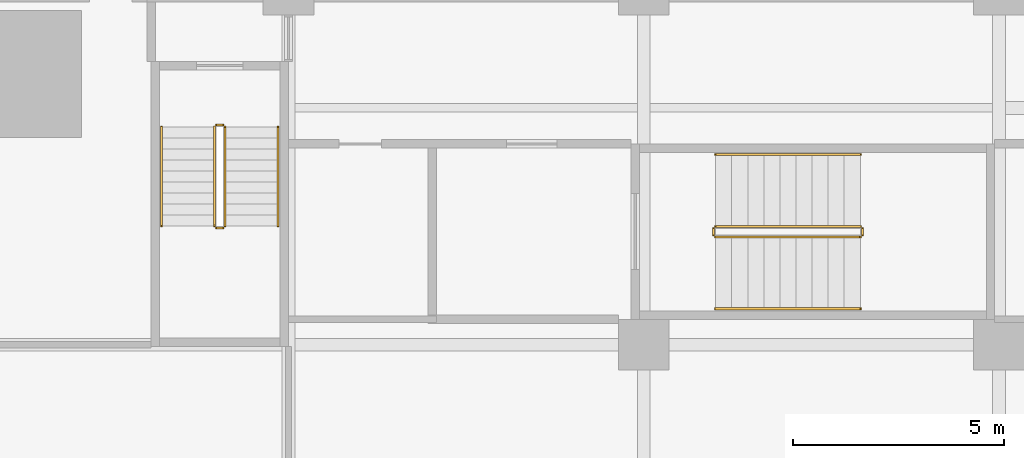
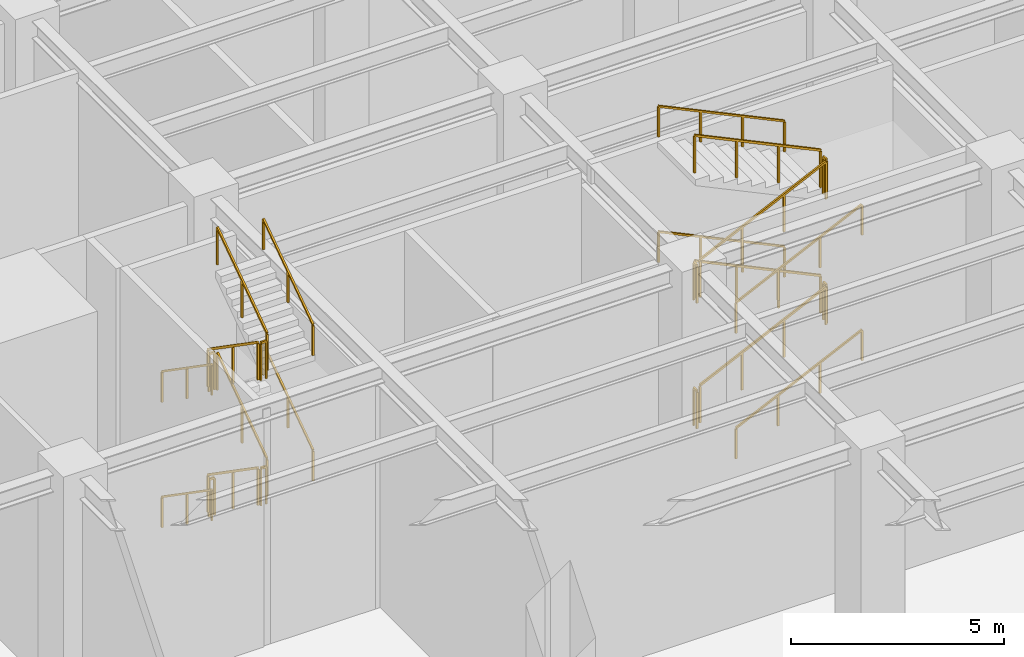
# One storey, part 40 of 43: 24 railings.
"""IFC4 building model written with IfcOpenShell, lengths in metres."""

from ifc_helpers import new_model, si_unit, direction, frame, origin, origin_2d, place, context, subcontext, project, spatial, rectangle, extrude, material, type_object, element, save


model = new_model("IFC4")

# Units and contexts
model_context = context("Model", 3, precision=1e-05, world=origin(), true_north=direction((0.0, 1.0)))
body_context = subcontext(model_context, "Body", "Model", "MODEL_VIEW")
ifc_project = project(units=[si_unit("LENGTHUNIT", "METRE"), si_unit("AREAUNIT", "SQUARE_METRE"), si_unit("VOLUMEUNIT", "CUBIC_METRE"), si_unit("PLANEANGLEUNIT", "RADIAN"), si_unit("MASSUNIT", "GRAM", prefix="KILO")], contexts=[model_context])

# Site, building, storey
site_placement = place(None, origin())
site = spatial("IfcSite", under=ifc_project, at=site_placement, CompositionType="ELEMENT")
building_placement = place(site_placement, origin())
building = spatial("IfcBuilding", under=site, at=building_placement, Name="Khepri Terraces", CompositionType="ELEMENT")
storey_placement = place(building_placement, origin())
storey = spatial("IfcBuildingStorey", under=building, at=storey_placement, Name="L00", CompositionType="ELEMENT", Elevation=0.0)

# Railings
ifc_material = material(Name="Stainless steel 316", Category="steel")
railing_type_1 = type_object("IfcRailingType", Name="RL-POD-GUARD", PredefinedType="GUARDRAIL", material=ifc_material)
railing_1_placement = place(storey_placement, frame((23.449951171875, -20.050048828125, 0.179931640625)))
element("IfcRailing", 1, at=railing_1_placement, inside=storey, type_object=railing_type_1, Name="L00 PS-3 stair guard 1", PredefinedType="GUARDRAIL", context=body_context, shape_type="SweptSolid", body=[
    extrude(rectangle(XDim=0.050048828125, YDim=0.06005859375, at=origin_2d()), frame((0.0, 0.0, 1.070068359375), z_axis=(0.0, -0.822155131156, 0.569263506923), x_axis=(1.0, 0.0, 0.0)), (0.0, 0.0, 1.0), 2.845947265625),
    extrude(rectangle(XDim=0.050048828125, YDim=0.050048828125, at=origin_2d()), origin(), (0.0, 0.0, 1.0), 1.0400390625),
    extrude(rectangle(XDim=0.050048828125, YDim=0.050048828125, at=origin_2d()), frame((0.0, -1.169921875, 0.81005859375)), (0.0, 0.0, 1.0), 1.0400390625),
    extrude(rectangle(XDim=0.050048828125, YDim=0.050048828125, at=origin_2d()), frame((0.0, -2.33984375, 1.6201171875)), (0.0, 0.0, 1.0), 1.0400390625),
])
railing_2_placement = place(storey_placement, frame((23.5, -22.43994140625, 1.800048828125)))
element("IfcRailing", 2, at=railing_2_placement, inside=storey, type_object=railing_type_1, Name="L00 PS-3 stair guard 2", PredefinedType="GUARDRAIL", context=body_context, shape_type="SweptSolid", body=[
    extrude(rectangle(XDim=0.050048828125, YDim=0.06005859375, at=origin_2d()), frame((0.0, 0.0, 1.070068359375), z_axis=(1.0, 0.0, 0.0), x_axis=(0.0, 1.0, 0.0)), (0.0, 0.0, 1.0), 0.14990234375),
    extrude(rectangle(XDim=0.050048828125, YDim=0.050048828125, at=origin_2d()), origin(), (0.0, 0.0, 1.0), 1.0400390625),
    extrude(rectangle(XDim=0.050048828125, YDim=0.050048828125, at=origin_2d()), frame((0.14990234375, 0.0, 0.0)), (0.0, 0.0, 1.0), 1.0400390625),
])
railing_3_placement = place(storey_placement, frame((23.699951171875, -22.389892578125, 1.97998046875)))
element("IfcRailing", 3, at=railing_3_placement, inside=storey, type_object=railing_type_1, Name="L00 PS-3 stair guard 3", PredefinedType="GUARDRAIL", context=body_context, shape_type="SweptSolid", body=[
    extrude(rectangle(XDim=0.050048828125, YDim=0.06005859375, at=origin_2d()), frame((0.0, 0.0, 1.070068359375), z_axis=(0.0, 0.822155131156, 0.569263506923), x_axis=(-1.0, 0.0, 0.0)), (0.0, 0.0, 1.0), 2.845947265625),
    extrude(rectangle(XDim=0.050048828125, YDim=0.050048828125, at=origin_2d()), origin(), (0.0, 0.0, 1.0), 1.0400390625),
    extrude(rectangle(XDim=0.050048828125, YDim=0.050048828125, at=origin_2d()), frame((0.0, 1.169921875, 0.81005859375)), (0.0, 0.0, 1.0), 1.0400390625),
    extrude(rectangle(XDim=0.050048828125, YDim=0.050048828125, at=origin_2d()), frame((0.0, 2.33984375, 1.6201171875)), (0.0, 0.0, 1.0), 1.0400390625),
])
railing_4_placement = place(storey_placement, frame((23.5, -20.0, 3.60009765625)))
element("IfcRailing", 4, at=railing_4_placement, inside=storey, type_object=railing_type_1, Name="L00 PS-3 stair guard 4", PredefinedType="GUARDRAIL", context=body_context, shape_type="SweptSolid", body=[
    extrude(rectangle(XDim=0.050048828125, YDim=0.06005859375, at=origin_2d()), frame((0.0, 0.0, 1.070068359375), z_axis=(1.0, 0.0, 0.0), x_axis=(0.0, 1.0, 0.0)), (0.0, 0.0, 1.0), 0.14990234375),
    extrude(rectangle(XDim=0.050048828125, YDim=0.050048828125, at=origin_2d()), origin(), (0.0, 0.0, 1.0), 1.0400390625),
    extrude(rectangle(XDim=0.050048828125, YDim=0.050048828125, at=origin_2d()), frame((0.14990234375, 0.0, 0.0)), (0.0, 0.0, 1.0), 1.0400390625),
])
railing_5_placement = place(storey_placement, frame((23.449951171875, -20.050048828125, 3.780029296875)))
element("IfcRailing", 5, at=railing_5_placement, inside=storey, type_object=railing_type_1, Name="L00 PS-3 stair guard 5", PredefinedType="GUARDRAIL", context=body_context, shape_type="SweptSolid", body=[
    extrude(rectangle(XDim=0.050048828125, YDim=0.06005859375, at=origin_2d()), frame((0.0, 0.0, 1.070068359375), z_axis=(0.0, -0.822195280011, 0.569205517829), x_axis=(1.0, 0.0, 0.0)), (0.0, 0.0, 1.0), 2.845947265625),
    extrude(rectangle(XDim=0.050048828125, YDim=0.050048828125, at=origin_2d()), origin(), (0.0, 0.0, 1.0), 1.0400390625),
    extrude(rectangle(XDim=0.050048828125, YDim=0.050048828125, at=origin_2d()), frame((0.0, -1.169921875, 0.81005859375)), (0.0, 0.0, 1.0), 1.0400390625),
    extrude(rectangle(XDim=0.050048828125, YDim=0.050048828125, at=origin_2d()), frame((0.0, -2.33984375, 1.619873046875)), (0.0, 0.0, 1.0), 1.0400390625),
])
railing_6_placement = place(storey_placement, frame((23.5, -22.43994140625, 5.39990234375)))
element("IfcRailing", 6, at=railing_6_placement, inside=storey, type_object=railing_type_1, Name="L00 PS-3 stair guard 6", PredefinedType="GUARDRAIL", context=body_context, shape_type="SweptSolid", body=[
    extrude(rectangle(XDim=0.050048828125, YDim=0.06005859375, at=origin_2d()), frame((0.0, 0.0, 1.070068359375), z_axis=(1.0, 0.0, 0.0), x_axis=(0.0, 1.0, 0.0)), (0.0, 0.0, 1.0), 0.14990234375),
    extrude(rectangle(XDim=0.050048828125, YDim=0.050048828125, at=origin_2d()), origin(), (0.0, 0.0, 1.0), 1.0400390625),
    extrude(rectangle(XDim=0.050048828125, YDim=0.050048828125, at=origin_2d()), frame((0.14990234375, 0.0, 0.0)), (0.0, 0.0, 1.0), 1.0400390625),
])
railing_7_placement = place(storey_placement, frame((23.699951171875, -22.389892578125, 5.580078125)))
element("IfcRailing", 7, at=railing_7_placement, inside=storey, type_object=railing_type_1, Name="L00 PS-3 stair guard 7", PredefinedType="GUARDRAIL", context=body_context, shape_type="SweptSolid", body=[
    extrude(rectangle(XDim=0.050048828125, YDim=0.06005859375, at=origin_2d()), frame((0.0, 0.0, 1.070068359375), z_axis=(0.0, 0.822195280011, 0.569205517829), x_axis=(-1.0, 0.0, 0.0)), (0.0, 0.0, 1.0), 2.845947265625),
    extrude(rectangle(XDim=0.050048828125, YDim=0.050048828125, at=origin_2d()), origin(), (0.0, 0.0, 1.0), 1.0400390625),
    extrude(rectangle(XDim=0.050048828125, YDim=0.050048828125, at=origin_2d()), frame((0.0, 1.169921875, 0.81005859375)), (0.0, 0.0, 1.0), 1.0400390625),
    extrude(rectangle(XDim=0.050048828125, YDim=0.050048828125, at=origin_2d()), frame((0.0, 2.33984375, 1.619873046875)), (0.0, 0.0, 1.0), 1.0400390625),
])
railing_8_placement = place(storey_placement, frame((23.5, -20.0, 0.0)))
element("IfcRailing", 8, at=railing_8_placement, inside=storey, type_object=railing_type_1, Name="L00 PS-3 stair guard 8", PredefinedType="GUARDRAIL", context=body_context, shape_type="SweptSolid", body=[
    extrude(rectangle(XDim=0.050048828125, YDim=0.06005859375, at=origin_2d()), frame((0.0, 0.0, 1.070068359375), z_axis=(1.0, 0.0, 0.0), x_axis=(0.0, 1.0, 0.0)), (0.0, 0.0, 1.0), 0.14990234375),
    extrude(rectangle(XDim=0.050048828125, YDim=0.050048828125, at=origin_2d()), origin(), (0.0, 0.0, 1.0), 1.0400390625),
    extrude(rectangle(XDim=0.050048828125, YDim=0.050048828125, at=origin_2d()), frame((0.14990234375, 0.0, 0.0)), (0.0, 0.0, 1.0), 1.0400390625),
])
railing_9_placement = place(storey_placement, frame((35.300048828125, -22.64990234375, 0.179931640625)))
element("IfcRailing", 9, at=railing_9_placement, inside=storey, type_object=railing_type_1, Name="L00 PS-8 stair guard 1", PredefinedType="GUARDRAIL", context=body_context, shape_type="SweptSolid", body=[
    extrude(rectangle(XDim=0.050048828125, YDim=0.06005859375, at=origin_2d()), frame((0.0, 0.0, 1.070068359375), z_axis=(0.903722074505, 0.0, 0.428119623531), x_axis=(0.0, 1.0, 0.0)), (0.0, 0.0, 1.0), 3.7841796875),
    extrude(rectangle(XDim=0.050048828125, YDim=0.050048828125, at=origin_2d()), origin(), (0.0, 0.0, 1.0), 1.0400390625),
    extrude(rectangle(XDim=0.050048828125, YDim=0.050048828125, at=origin_2d()), frame((1.139892578125, 0.0, 0.5400390625)), (0.0, 0.0, 1.0), 1.0400390625),
    extrude(rectangle(XDim=0.050048828125, YDim=0.050048828125, at=origin_2d()), frame((2.280029296875, 0.0, 1.080078125)), (0.0, 0.0, 1.0), 1.0400390625),
    extrude(rectangle(XDim=0.050048828125, YDim=0.050048828125, at=origin_2d()), frame((3.419921875, 0.0, 1.6201171875)), (0.0, 0.0, 1.0), 1.0400390625),
])
railing_10_placement = place(storey_placement, frame((38.77001953125, -22.60009765625, 1.800048828125)))
element("IfcRailing", 10, at=railing_10_placement, inside=storey, type_object=railing_type_1, Name="L00 PS-8 stair guard 2", PredefinedType="GUARDRAIL", context=body_context, shape_type="SweptSolid", body=[
    extrude(rectangle(XDim=0.050048828125, YDim=0.06005859375, at=origin_2d()), frame((0.0, 0.0, 1.070068359375), z_axis=(0.0, 1.0, 0.0), x_axis=(-1.0, 0.0, 0.0)), (0.0, 0.0, 1.0), 0.150146484375),
    extrude(rectangle(XDim=0.050048828125, YDim=0.050048828125, at=origin_2d()), origin(), (0.0, 0.0, 1.0), 1.0400390625),
    extrude(rectangle(XDim=0.050048828125, YDim=0.050048828125, at=origin_2d()), frame((0.0, 0.150146484375, 0.0)), (0.0, 0.0, 1.0), 1.0400390625),
])
railing_11_placement = place(storey_placement, frame((38.719970703125, -22.39990234375, 1.97998046875)))
element("IfcRailing", 11, at=railing_11_placement, inside=storey, type_object=railing_type_1, Name="L00 PS-8 stair guard 3", PredefinedType="GUARDRAIL", context=body_context, shape_type="SweptSolid", body=[
    extrude(rectangle(XDim=0.050048828125, YDim=0.06005859375, at=origin_2d()), frame((0.0, 0.0, 1.070068359375), z_axis=(-0.903722074505, 0.0, 0.428119623531), x_axis=(0.0, -1.0, 0.0)), (0.0, 0.0, 1.0), 3.7841796875),
    extrude(rectangle(XDim=0.050048828125, YDim=0.050048828125, at=origin_2d()), origin(), (0.0, 0.0, 1.0), 1.0400390625),
    extrude(rectangle(XDim=0.050048828125, YDim=0.050048828125, at=origin_2d()), frame((-1.139892578125, 0.0, 0.5400390625)), (0.0, 0.0, 1.0), 1.0400390625),
    extrude(rectangle(XDim=0.050048828125, YDim=0.050048828125, at=origin_2d()), frame((-2.280029296875, 0.0, 1.080078125)), (0.0, 0.0, 1.0), 1.0400390625),
    extrude(rectangle(XDim=0.050048828125, YDim=0.050048828125, at=origin_2d()), frame((-3.419921875, 0.0, 1.6201171875)), (0.0, 0.0, 1.0), 1.0400390625),
])
railing_12_placement = place(storey_placement, frame((35.25, -22.60009765625, 3.60009765625)))
element("IfcRailing", 12, at=railing_12_placement, inside=storey, type_object=railing_type_1, Name="L00 PS-8 stair guard 4", PredefinedType="GUARDRAIL", context=body_context, shape_type="SweptSolid", body=[
    extrude(rectangle(XDim=0.050048828125, YDim=0.06005859375, at=origin_2d()), frame((0.0, 0.0, 1.070068359375), z_axis=(0.0, 1.0, 0.0), x_axis=(-1.0, 0.0, 0.0)), (0.0, 0.0, 1.0), 0.150146484375),
    extrude(rectangle(XDim=0.050048828125, YDim=0.050048828125, at=origin_2d()), origin(), (0.0, 0.0, 1.0), 1.0400390625),
    extrude(rectangle(XDim=0.050048828125, YDim=0.050048828125, at=origin_2d()), frame((0.0, 0.150146484375, 0.0)), (0.0, 0.0, 1.0), 1.0400390625),
])
railing_13_placement = place(storey_placement, frame((35.300048828125, -22.64990234375, 3.780029296875)))
element("IfcRailing", 13, at=railing_13_placement, inside=storey, type_object=railing_type_1, Name="L00 PS-8 stair guard 5", PredefinedType="GUARDRAIL", context=body_context, shape_type="SweptSolid", body=[
    extrude(rectangle(XDim=0.050048828125, YDim=0.06005859375, at=origin_2d()), frame((0.0, 0.0, 1.070068359375), z_axis=(0.903747034475, 0.0, 0.428066931306), x_axis=(0.0, 1.0, 0.0)), (0.0, 0.0, 1.0), 3.7841796875),
    extrude(rectangle(XDim=0.050048828125, YDim=0.050048828125, at=origin_2d()), origin(), (0.0, 0.0, 1.0), 1.0400390625),
    extrude(rectangle(XDim=0.050048828125, YDim=0.050048828125, at=origin_2d()), frame((1.139892578125, 0.0, 0.5400390625)), (0.0, 0.0, 1.0), 1.0400390625),
    extrude(rectangle(XDim=0.050048828125, YDim=0.050048828125, at=origin_2d()), frame((2.280029296875, 0.0, 1.079833984375)), (0.0, 0.0, 1.0), 1.0400390625),
    extrude(rectangle(XDim=0.050048828125, YDim=0.050048828125, at=origin_2d()), frame((3.419921875, 0.0, 1.619873046875)), (0.0, 0.0, 1.0), 1.0400390625),
])
railing_14_placement = place(storey_placement, frame((38.77001953125, -22.60009765625, 5.39990234375)))
element("IfcRailing", 14, at=railing_14_placement, inside=storey, type_object=railing_type_1, Name="L00 PS-8 stair guard 6", PredefinedType="GUARDRAIL", context=body_context, shape_type="SweptSolid", body=[
    extrude(rectangle(XDim=0.050048828125, YDim=0.06005859375, at=origin_2d()), frame((0.0, 0.0, 1.070068359375), z_axis=(0.0, 1.0, 0.0), x_axis=(-1.0, 0.0, 0.0)), (0.0, 0.0, 1.0), 0.150146484375),
    extrude(rectangle(XDim=0.050048828125, YDim=0.050048828125, at=origin_2d()), origin(), (0.0, 0.0, 1.0), 1.0400390625),
    extrude(rectangle(XDim=0.050048828125, YDim=0.050048828125, at=origin_2d()), frame((0.0, 0.150146484375, 0.0)), (0.0, 0.0, 1.0), 1.0400390625),
])
railing_15_placement = place(storey_placement, frame((38.719970703125, -22.39990234375, 5.580078125)))
element("IfcRailing", 15, at=railing_15_placement, inside=storey, type_object=railing_type_1, Name="L00 PS-8 stair guard 7", PredefinedType="GUARDRAIL", context=body_context, shape_type="SweptSolid", body=[
    extrude(rectangle(XDim=0.050048828125, YDim=0.06005859375, at=origin_2d()), frame((0.0, 0.0, 1.070068359375), z_axis=(-0.903747034475, 0.0, 0.428066931306), x_axis=(0.0, -1.0, 0.0)), (0.0, 0.0, 1.0), 3.7841796875),
    extrude(rectangle(XDim=0.050048828125, YDim=0.050048828125, at=origin_2d()), origin(), (0.0, 0.0, 1.0), 1.0400390625),
    extrude(rectangle(XDim=0.050048828125, YDim=0.050048828125, at=origin_2d()), frame((-1.139892578125, 0.0, 0.5400390625)), (0.0, 0.0, 1.0), 1.0400390625),
    extrude(rectangle(XDim=0.050048828125, YDim=0.050048828125, at=origin_2d()), frame((-2.280029296875, 0.0, 1.079833984375)), (0.0, 0.0, 1.0), 1.0400390625),
    extrude(rectangle(XDim=0.050048828125, YDim=0.050048828125, at=origin_2d()), frame((-3.419921875, 0.0, 1.619873046875)), (0.0, 0.0, 1.0), 1.0400390625),
])
railing_16_placement = place(storey_placement, frame((35.25, -22.60009765625, 0.0)))
element("IfcRailing", 16, at=railing_16_placement, inside=storey, type_object=railing_type_1, Name="L00 PS-8 stair guard 8", PredefinedType="GUARDRAIL", context=body_context, shape_type="SweptSolid", body=[
    extrude(rectangle(XDim=0.050048828125, YDim=0.06005859375, at=origin_2d()), frame((0.0, 0.0, 1.070068359375), z_axis=(0.0, 1.0, 0.0), x_axis=(-1.0, 0.0, 0.0)), (0.0, 0.0, 1.0), 0.150146484375),
    extrude(rectangle(XDim=0.050048828125, YDim=0.050048828125, at=origin_2d()), origin(), (0.0, 0.0, 1.0), 1.0400390625),
    extrude(rectangle(XDim=0.050048828125, YDim=0.050048828125, at=origin_2d()), frame((0.0, 0.150146484375, 0.0)), (0.0, 0.0, 1.0), 1.0400390625),
])
railing_type_2 = type_object("IfcRailingType", Name="RL-POD-HANDRAIL", PredefinedType="HANDRAIL", material=ifc_material)
railing_17_placement = place(storey_placement, frame((22.199951171875, -20.050048828125, 0.179931640625)))
element("IfcRailing", 17, at=railing_17_placement, inside=storey, type_object=railing_type_2, Name="L00 PS-3 stair handrail 1", PredefinedType="HANDRAIL", context=body_context, shape_type="SweptSolid", body=[
    extrude(rectangle(XDim=0.050048828125, YDim=0.050048828125, at=origin_2d()), frame((0.0, 0.0, 0.875), z_axis=(0.0, -0.822155131156, 0.569263506923), x_axis=(1.0, 0.0, 0.0)), (0.0, 0.0, 1.0), 2.845947265625),
    extrude(rectangle(XDim=0.050048828125, YDim=0.050048828125, at=origin_2d()), origin(), (0.0, 0.0, 1.0), 0.849853515625),
    extrude(rectangle(XDim=0.050048828125, YDim=0.050048828125, at=origin_2d()), frame((0.0, -1.169921875, 0.81005859375)), (0.0, 0.0, 1.0), 0.849853515625),
    extrude(rectangle(XDim=0.050048828125, YDim=0.050048828125, at=origin_2d()), frame((0.0, -2.33984375, 1.6201171875)), (0.0, 0.0, 1.0), 0.849853515625),
])
railing_18_placement = place(storey_placement, frame((24.949951171875, -22.389892578125, 1.97998046875)))
element("IfcRailing", 18, at=railing_18_placement, inside=storey, type_object=railing_type_2, Name="L00 PS-3 stair handrail 2", PredefinedType="HANDRAIL", context=body_context, shape_type="SweptSolid", body=[
    extrude(rectangle(XDim=0.050048828125, YDim=0.050048828125, at=origin_2d()), frame((0.0, 0.0, 0.875), z_axis=(0.0, 0.822155131156, 0.569263506923), x_axis=(-1.0, 0.0, 0.0)), (0.0, 0.0, 1.0), 2.845947265625),
    extrude(rectangle(XDim=0.050048828125, YDim=0.050048828125, at=origin_2d()), origin(), (0.0, 0.0, 1.0), 0.849853515625),
    extrude(rectangle(XDim=0.050048828125, YDim=0.050048828125, at=origin_2d()), frame((0.0, 1.169921875, 0.81005859375)), (0.0, 0.0, 1.0), 0.849853515625),
    extrude(rectangle(XDim=0.050048828125, YDim=0.050048828125, at=origin_2d()), frame((0.0, 2.33984375, 1.6201171875)), (0.0, 0.0, 1.0), 0.849853515625),
])
railing_19_placement = place(storey_placement, frame((22.199951171875, -20.050048828125, 3.780029296875)))
element("IfcRailing", 19, at=railing_19_placement, inside=storey, type_object=railing_type_2, Name="L00 PS-3 stair handrail 3", PredefinedType="HANDRAIL", context=body_context, shape_type="SweptSolid", body=[
    extrude(rectangle(XDim=0.050048828125, YDim=0.050048828125, at=origin_2d()), frame((0.0, 0.0, 0.875), z_axis=(0.0, -0.822195280011, 0.569205517829), x_axis=(1.0, 0.0, 0.0)), (0.0, 0.0, 1.0), 2.845947265625),
    extrude(rectangle(XDim=0.050048828125, YDim=0.050048828125, at=origin_2d()), origin(), (0.0, 0.0, 1.0), 0.849853515625),
    extrude(rectangle(XDim=0.050048828125, YDim=0.050048828125, at=origin_2d()), frame((0.0, -1.169921875, 0.81005859375)), (0.0, 0.0, 1.0), 0.849853515625),
    extrude(rectangle(XDim=0.050048828125, YDim=0.050048828125, at=origin_2d()), frame((0.0, -2.33984375, 1.619873046875)), (0.0, 0.0, 1.0), 0.849853515625),
])
railing_20_placement = place(storey_placement, frame((24.949951171875, -22.389892578125, 5.580078125)))
element("IfcRailing", 20, at=railing_20_placement, inside=storey, type_object=railing_type_2, Name="L00 PS-3 stair handrail 4", PredefinedType="HANDRAIL", context=body_context, shape_type="SweptSolid", body=[
    extrude(rectangle(XDim=0.050048828125, YDim=0.050048828125, at=origin_2d()), frame((0.0, 0.0, 0.875), z_axis=(0.0, 0.822195280011, 0.569205517829), x_axis=(-1.0, 0.0, 0.0)), (0.0, 0.0, 1.0), 2.845947265625),
    extrude(rectangle(XDim=0.050048828125, YDim=0.050048828125, at=origin_2d()), origin(), (0.0, 0.0, 1.0), 0.849853515625),
    extrude(rectangle(XDim=0.050048828125, YDim=0.050048828125, at=origin_2d()), frame((0.0, 1.169921875, 0.81005859375)), (0.0, 0.0, 1.0), 0.849853515625),
    extrude(rectangle(XDim=0.050048828125, YDim=0.050048828125, at=origin_2d()), frame((0.0, 2.33984375, 1.619873046875)), (0.0, 0.0, 1.0), 0.849853515625),
])
railing_21_placement = place(storey_placement, frame((35.300048828125, -24.35009765625, 0.179931640625)))
element("IfcRailing", 21, at=railing_21_placement, inside=storey, type_object=railing_type_2, Name="L00 PS-8 stair handrail 1", PredefinedType="HANDRAIL", context=body_context, shape_type="SweptSolid", body=[
    extrude(rectangle(XDim=0.050048828125, YDim=0.050048828125, at=origin_2d()), frame((0.0, 0.0, 0.875), z_axis=(0.903722074505, 0.0, 0.428119623531), x_axis=(0.0, 1.0, 0.0)), (0.0, 0.0, 1.0), 3.7841796875),
    extrude(rectangle(XDim=0.050048828125, YDim=0.050048828125, at=origin_2d()), origin(), (0.0, 0.0, 1.0), 0.849853515625),
    extrude(rectangle(XDim=0.050048828125, YDim=0.050048828125, at=origin_2d()), frame((1.139892578125, 0.0, 0.5400390625)), (0.0, 0.0, 1.0), 0.849853515625),
    extrude(rectangle(XDim=0.050048828125, YDim=0.050048828125, at=origin_2d()), frame((2.280029296875, 0.0, 1.080078125)), (0.0, 0.0, 1.0), 0.849853515625),
    extrude(rectangle(XDim=0.050048828125, YDim=0.050048828125, at=origin_2d()), frame((3.419921875, 0.0, 1.6201171875)), (0.0, 0.0, 1.0), 0.849853515625),
])
railing_22_placement = place(storey_placement, frame((38.719970703125, -20.699951171875, 1.97998046875)))
element("IfcRailing", 22, at=railing_22_placement, inside=storey, type_object=railing_type_2, Name="L00 PS-8 stair handrail 2", PredefinedType="HANDRAIL", context=body_context, shape_type="SweptSolid", body=[
    extrude(rectangle(XDim=0.050048828125, YDim=0.050048828125, at=origin_2d()), frame((0.0, 0.0, 0.875), z_axis=(-0.903722074505, 0.0, 0.428119623531), x_axis=(0.0, -1.0, 0.0)), (0.0, 0.0, 1.0), 3.7841796875),
    extrude(rectangle(XDim=0.050048828125, YDim=0.050048828125, at=origin_2d()), origin(), (0.0, 0.0, 1.0), 0.849853515625),
    extrude(rectangle(XDim=0.050048828125, YDim=0.050048828125, at=origin_2d()), frame((-1.139892578125, 0.0, 0.5400390625)), (0.0, 0.0, 1.0), 0.849853515625),
    extrude(rectangle(XDim=0.050048828125, YDim=0.050048828125, at=origin_2d()), frame((-2.280029296875, 0.0, 1.080078125)), (0.0, 0.0, 1.0), 0.849853515625),
    extrude(rectangle(XDim=0.050048828125, YDim=0.050048828125, at=origin_2d()), frame((-3.419921875, 0.0, 1.6201171875)), (0.0, 0.0, 1.0), 0.849853515625),
])
railing_23_placement = place(storey_placement, frame((35.300048828125, -24.35009765625, 3.780029296875)))
element("IfcRailing", 23, at=railing_23_placement, inside=storey, type_object=railing_type_2, Name="L00 PS-8 stair handrail 3", PredefinedType="HANDRAIL", context=body_context, shape_type="SweptSolid", body=[
    extrude(rectangle(XDim=0.050048828125, YDim=0.050048828125, at=origin_2d()), frame((0.0, 0.0, 0.875), z_axis=(0.903747034475, 0.0, 0.428066931306), x_axis=(0.0, 1.0, 0.0)), (0.0, 0.0, 1.0), 3.7841796875),
    extrude(rectangle(XDim=0.050048828125, YDim=0.050048828125, at=origin_2d()), origin(), (0.0, 0.0, 1.0), 0.849853515625),
    extrude(rectangle(XDim=0.050048828125, YDim=0.050048828125, at=origin_2d()), frame((1.139892578125, 0.0, 0.5400390625)), (0.0, 0.0, 1.0), 0.849853515625),
    extrude(rectangle(XDim=0.050048828125, YDim=0.050048828125, at=origin_2d()), frame((2.280029296875, 0.0, 1.079833984375)), (0.0, 0.0, 1.0), 0.849853515625),
    extrude(rectangle(XDim=0.050048828125, YDim=0.050048828125, at=origin_2d()), frame((3.419921875, 0.0, 1.619873046875)), (0.0, 0.0, 1.0), 0.849853515625),
])
railing_24_placement = place(storey_placement, frame((38.719970703125, -20.699951171875, 5.580078125)))
element("IfcRailing", 24, at=railing_24_placement, inside=storey, type_object=railing_type_2, Name="L00 PS-8 stair handrail 4", PredefinedType="HANDRAIL", context=body_context, shape_type="SweptSolid", body=[
    extrude(rectangle(XDim=0.050048828125, YDim=0.050048828125, at=origin_2d()), frame((0.0, 0.0, 0.875), z_axis=(-0.903747034475, 0.0, 0.428066931306), x_axis=(0.0, -1.0, 0.0)), (0.0, 0.0, 1.0), 3.7841796875),
    extrude(rectangle(XDim=0.050048828125, YDim=0.050048828125, at=origin_2d()), origin(), (0.0, 0.0, 1.0), 0.849853515625),
    extrude(rectangle(XDim=0.050048828125, YDim=0.050048828125, at=origin_2d()), frame((-1.139892578125, 0.0, 0.5400390625)), (0.0, 0.0, 1.0), 0.849853515625),
    extrude(rectangle(XDim=0.050048828125, YDim=0.050048828125, at=origin_2d()), frame((-2.280029296875, 0.0, 1.079833984375)), (0.0, 0.0, 1.0), 0.849853515625),
    extrude(rectangle(XDim=0.050048828125, YDim=0.050048828125, at=origin_2d()), frame((-3.419921875, 0.0, 1.619873046875)), (0.0, 0.0, 1.0), 0.849853515625),
])

save(model, "model.ifc")
